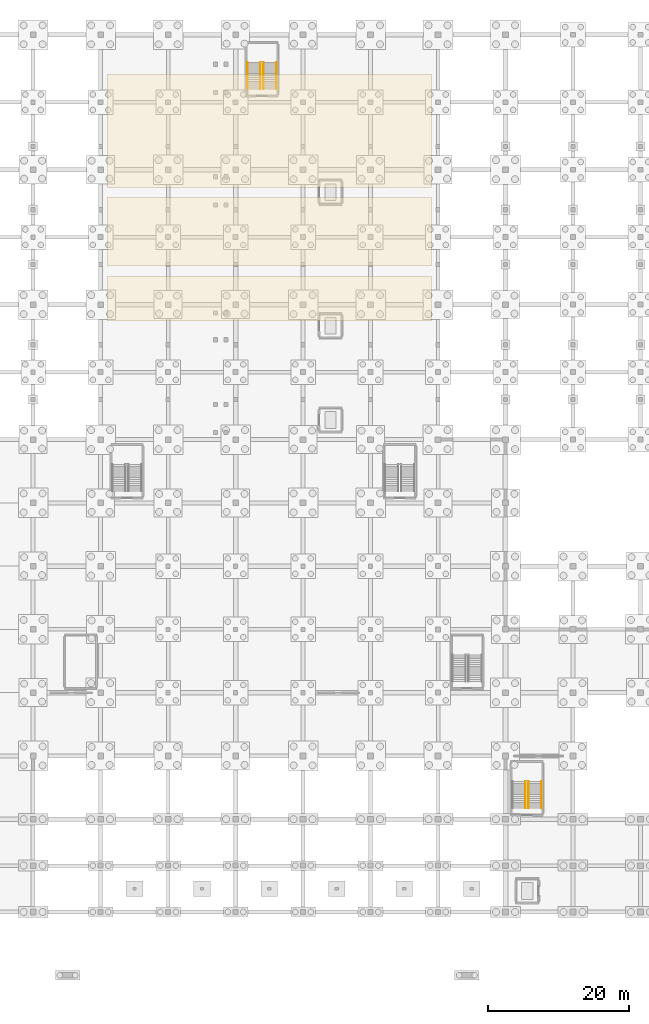
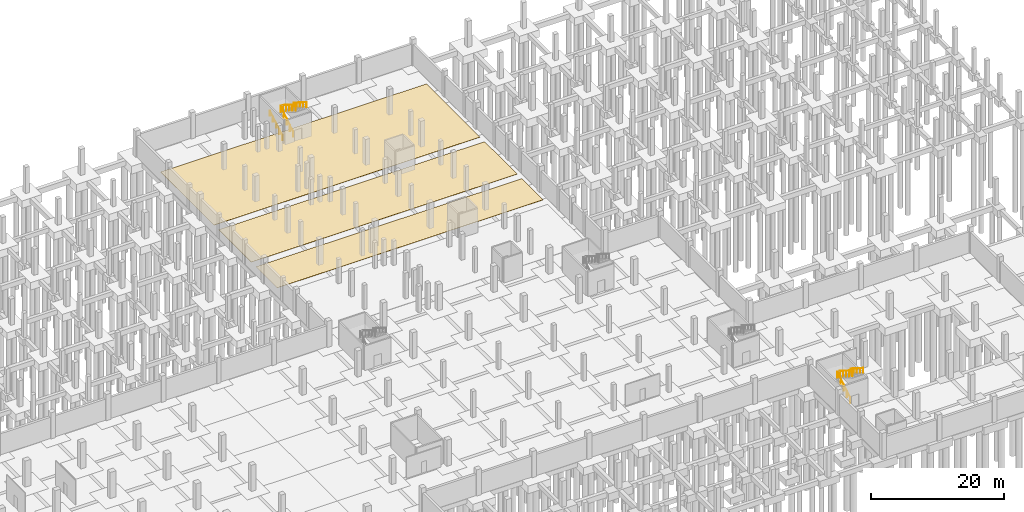
# One storey, part 36 of 39: 7 railings, 3 coverings.
"""IFC4 building model written with IfcOpenShell, lengths in metres."""

import ifcopenshell
import ifcopenshell.guid

model = None  # the IFC model being written
_history = None  # IfcOwnerHistory: only IFC2X3 demands one
_inside = {}  # id of a spatial element -> (the spatial element, [elements in it])
_under = {}  # id of a project, library or spatial element -> (it, [spatial elements below it])
_declared = {}  # id of a project -> (the project, [libraries it declares])
_typed = {}  # id of a type object -> (the type object, [elements of that type])
_made_of = {}  # id of a material, layer set ... -> (it, [elements and type objects made of it])


def new_model(schema):
    """Start an empty IFC model of exactly this schema.

    Asked for "IFC4X3", IfcOpenShell would pick the latest addendum, in which some entities
    have other attributes; the version numbers below select the first issue.
    IFC2X3 requires an IfcOwnerHistory on every rooted entity: one is made here for all.
    """
    global model, _history
    if schema == "IFC4X3":
        model = ifcopenshell.file(schema_version=(4, 3, 0, 0))
    else:
        model = ifcopenshell.file(schema=schema)
    _inside.clear()
    _under.clear()
    _declared.clear()
    _typed.clear()
    _made_of.clear()
    _history = None
    if model.schema == "IFC2X3":
        org = make("IfcOrganization", Name="unknown")
        user = make(
            "IfcPersonAndOrganization",
            ThePerson=make("IfcPerson", FamilyName="unknown"),
            TheOrganization=org,
        )
        app = make(
            "IfcApplication",
            ApplicationDeveloper=org,
            Version="unknown",
            ApplicationFullName="unknown",
            ApplicationIdentifier="unknown",
        )
        _history = make(
            "IfcOwnerHistory",
            OwningUser=user,
            OwningApplication=app,
            ChangeAction="ADDED",
            CreationDate=0,
        )
    return model


def make(cls, **values):
    """One entity of the class cls with the attributes given. An attribute that is None is left unset."""
    return model.create_entity(
        cls, **{name: value for name, value in values.items() if value is not None}
    )


def rooted(cls, **values):
    """An entity with a GlobalId (a new one), such as an element, a storey or a relation."""
    return make(cls, GlobalId=ifcopenshell.guid.new(), OwnerHistory=_history, **values)


def si_unit(unit_type, name, prefix=None):
    """IfcSIUnit, for example si_unit("LENGTHUNIT", "METRE", prefix="MILLI")."""
    return make("IfcSIUnit", UnitType=unit_type, Prefix=prefix, Name=name)


def assignment(units):
    """IfcUnitAssignment: the units of a project."""
    return None if units is None else make("IfcUnitAssignment", Units=units)


def point(xyz):
    """IfcCartesianPoint."""
    return None if xyz is None else make("IfcCartesianPoint", Coordinates=xyz)


def direction(xyz):
    """IfcDirection."""
    return None if xyz is None else make("IfcDirection", DirectionRatios=xyz)


def frame(location, z_axis=None, x_axis=None):
    """IfcAxis2Placement3D, a coordinate frame: its origin and axes. An axis left out is left unset."""
    return make(
        "IfcAxis2Placement3D",
        Location=point(location),
        Axis=direction(z_axis),
        RefDirection=direction(x_axis),
    )


def frame_2d(location, x_axis=None):
    """IfcAxis2Placement2D, a coordinate frame in the plane: its origin and x axis."""
    return make(
        "IfcAxis2Placement2D", Location=point(location), RefDirection=direction(x_axis)
    )


def origin():
    """The frame at (0, 0, 0) with its axes left unset."""
    return frame((0.0, 0.0, 0.0))


def origin_2d():
    """The frame at (0, 0) in the plane with its x axis left unset."""
    return frame_2d((0.0, 0.0))


def place(relative_to, where):
    """IfcLocalPlacement: puts the frame where relative to a parent placement (None: the world)."""
    return make(
        "IfcLocalPlacement", PlacementRelTo=relative_to, RelativePlacement=where
    )


def context(
    kind, dimensions, precision=None, world=None, true_north=None, identifier=None
):
    """IfcGeometricRepresentationContext, for example the 3D "Model" context."""
    return make(
        "IfcGeometricRepresentationContext",
        ContextIdentifier=identifier,
        ContextType=kind,
        CoordinateSpaceDimension=dimensions,
        Precision=precision,
        WorldCoordinateSystem=world,
        TrueNorth=true_north,
    )


def subcontext(parent, identifier, kind, view, scale=None):
    """IfcGeometricRepresentationSubContext, for example "Body" below "Model"."""
    return make(
        "IfcGeometricRepresentationSubContext",
        ContextIdentifier=identifier,
        ContextType=kind,
        ParentContext=parent,
        TargetScale=scale,
        TargetView=view,
    )


def project(units=None, contexts=None):
    """IfcProject with its units and contexts."""
    return rooted(
        "IfcProject",
        Name="project",
        RepresentationContexts=contexts,
        UnitsInContext=assignment(units),
    )


def spatial(cls, under=None, at=None, **own):
    """A site, building, storey or space (cls), placed at a placement, below another one or the project."""
    s = rooted(cls, ObjectPlacement=at, **own)
    if under is not None:
        _under.setdefault(under.id(), (under, []))[1].append(s)
    return s


def polyline(points):
    """IfcPolyline through the points."""
    return make("IfcPolyline", Points=[point(p) for p in points])


def profile(cls, at=None, kind="AREA", **sizes):
    """A parametric profile (cls). Its sizes go by their IFC names, for example OverallWidth=200.0."""
    return make(cls, ProfileType=kind, Position=at, **sizes)


def circle(**sizes):
    """IfcCircleProfileDef."""
    return profile("IfcCircleProfileDef", **sizes)


def outline(outer, holes=None, kind="AREA"):
    """IfcArbitraryClosedProfileDef: a profile drawn as a closed curve; with holes, ...WithVoids."""
    if holes is None:
        return make("IfcArbitraryClosedProfileDef", ProfileType=kind, OuterCurve=outer)
    return make(
        "IfcArbitraryProfileDefWithVoids",
        ProfileType=kind,
        OuterCurve=outer,
        InnerCurves=holes,
    )


def extrude(swept, where, along, depth):
    """IfcExtrudedAreaSolid: the profile swept, set in the frame where, extruded along a direction by depth."""
    return make(
        "IfcExtrudedAreaSolid",
        SweptArea=swept,
        Position=where,
        ExtrudedDirection=direction(along),
        Depth=depth,
    )


def shape(context_of_items, identifier, shape_type, items):
    """IfcShapeRepresentation: the items that make up one representation, for example the "Body"."""
    return make(
        "IfcShapeRepresentation",
        ContextOfItems=context_of_items,
        RepresentationIdentifier=identifier,
        RepresentationType=shape_type,
        Items=items,
    )


def material(Name=None, Category=None):
    """IfcMaterial."""
    return make("IfcMaterial", Name=Name, Category=Category)


def layer(
    of_material, thickness, ventilated=None, Name=None, Category=None, Priority=None
):
    """IfcMaterialLayer: one layer of a wall or slab, of a material (None: an air gap)."""
    return make(
        "IfcMaterialLayer",
        Material=of_material,
        LayerThickness=thickness,
        IsVentilated=ventilated,
        Name=Name,
        Category=Category,
        Priority=Priority,
    )


def layer_set(layers, Name=None):
    """IfcMaterialLayerSet."""
    return make("IfcMaterialLayerSet", MaterialLayers=layers, LayerSetName=Name)


def made_of(thing, what):
    """Note that an element or type object is made of a material, layer set ...; save() writes the relation."""
    if what is not None:
        _made_of.setdefault(what.id(), (what, []))[1].append(thing)
    return thing


def type_object(cls, material=None, **own):
    """A type object (cls), such as IfcWallType, which elements share."""
    return made_of(rooted(cls, **own), material)


def element(
    cls,
    number,
    at=None,
    inside=None,
    cuts=None,
    type_object=None,
    material=None,
    context=None,
    identifier="Body",
    shape_type=None,
    held_by="IfcProductDefinitionShape",
    body=None,
    shapes=None,
    **own,
):
    """One element of the class cls, such as IfcWall. Its Tag is "e" and its number.

    at: its placement. inside: the storey or other place that contains it. cuts: it is an
    opening in that element (IfcRelVoidsElement). A single representation is given by context,
    identifier, shape_type and body (its items); several are given by shapes. held_by: the class
    of the entity that holds the representations. save() writes the other relations.
    """
    e = rooted(cls, Tag="e%d" % number, ObjectPlacement=at, **own)
    if body is not None:
        shapes = [shape(context, identifier, shape_type, body)]
    if shapes is not None:
        e.Representation = make(held_by, Representations=shapes)
    if inside is not None:
        _inside.setdefault(inside.id(), (inside, []))[1].append(e)
    if cuts is not None:
        rooted(
            "IfcRelVoidsElement", RelatingBuildingElement=cuts, RelatedOpeningElement=e
        )
    if type_object is not None:
        _typed.setdefault(type_object.id(), (type_object, []))[1].append(e)
    return made_of(e, material)


def aggregate(whole, parts):
    """IfcRelAggregates: a whole, such as a stair, and the parts it consists of."""
    return rooted("IfcRelAggregates", RelatingObject=whole, RelatedObjects=parts)


def save(model, path):
    """Write the relations noted so far, then the file.

    IfcRelAggregates (storeys below a building ...), IfcRelContainedInSpatialStructure (elements
    in a storey), IfcRelDefinesByType, IfcRelAssociatesMaterial and IfcRelDeclares: one each for
    every whole, place, type object, material and project.
    """
    for whole, parts in _under.values():
        aggregate(whole, parts)
    for where, things in _inside.values():
        rooted(
            "IfcRelContainedInSpatialStructure",
            RelatedElements=things,
            RelatingStructure=where,
        )
    for kind, things in _typed.values():
        rooted("IfcRelDefinesByType", RelatedObjects=things, RelatingType=kind)
    for what, things in _made_of.values():
        rooted("IfcRelAssociatesMaterial", RelatedObjects=things, RelatingMaterial=what)
    for by, libraries in _declared.values():
        rooted("IfcRelDeclares", RelatingContext=by, RelatedDefinitions=libraries)
    model.write(path)


model = new_model("IFC4")

# Units and contexts
model_context = context("Model", 3, precision=1e-05, world=origin(), true_north=direction((0.0, 1.0)))
body_context = subcontext(model_context, "Body", "Model", "MODEL_VIEW")
ifc_project = project(units=[si_unit("LENGTHUNIT", "METRE"), si_unit("AREAUNIT", "SQUARE_METRE"), si_unit("VOLUMEUNIT", "CUBIC_METRE"), si_unit("PLANEANGLEUNIT", "RADIAN"), si_unit("MASSUNIT", "GRAM", prefix="KILO")], contexts=[model_context])

# Site, building, storey
site_placement = place(None, origin())
site = spatial("IfcSite", under=ifc_project, at=site_placement, CompositionType="ELEMENT")
building_placement = place(site_placement, origin())
building = spatial("IfcBuilding", under=site, at=building_placement, Name="Zarnetskaya Central Station", CompositionType="ELEMENT")
storey_placement = place(building_placement, frame((0.0, 0.0, -4.800048828125)))
storey = spatial("IfcBuildingStorey", under=building, at=storey_placement, Name="B1", CompositionType="ELEMENT", Elevation=-4.800048828125)

# Coverings
ifc_material_1 = material(Name="Granite stone flooring", Category="masonry")
ifc_layer = layer(ifc_material_1, 0.0400390625, Name="Granite stone flooring", Category="masonry")
ifc_layer_set = layer_set([ifc_layer], Name="Granite stone flooring")
covering_type = type_object("IfcCoveringType", Name="COV-GRAN-FLR", PredefinedType="FLOORING", material=ifc_layer_set)
covering_1_placement = place(storey_placement, origin())
element("IfcCovering", 1, at=covering_1_placement, inside=storey, type_object=covering_type, Name="Granite terrazzo floor finish B1-101A", PredefinedType="FLOORING", context=body_context, shape_type="SweptSolid", body=[
    extrude(outline(polyline([(68.10009765625, 91.89990234375), (114.300048828125, 91.89990234375), (114.300048828125, 101.699951171875), (68.10009765625, 101.699951171875), (68.10009765625, 91.89990234375)])), origin(), (0.0, 0.0, 1.0), 0.0400390625),
])
covering_2_placement = place(storey_placement, origin())
element("IfcCovering", 2, at=covering_2_placement, inside=storey, type_object=covering_type, Name="Granite terrazzo floor finish B1-101BA", PredefinedType="FLOORING", context=body_context, shape_type="SweptSolid", body=[
    extrude(outline(polyline([(68.10009765625, 103.10009765625), (114.300048828125, 103.10009765625), (114.300048828125, 119.199951171875), (68.10009765625, 119.199951171875), (68.10009765625, 103.10009765625)])), origin(), (0.0, 0.0, 1.0), 0.0400390625),
])
covering_3_placement = place(storey_placement, origin())
element("IfcCovering", 3, at=covering_3_placement, inside=storey, type_object=covering_type, Name="Granite terrazzo floor finish B1-102BB", PredefinedType="FLOORING", context=body_context, shape_type="SweptSolid", body=[
    extrude(outline(polyline([(68.10009765625, 84.10009765625), (114.300048828125, 84.10009765625), (114.300048828125, 90.5), (68.10009765625, 90.5), (68.10009765625, 84.10009765625)])), origin(), (0.0, 0.0, 1.0), 0.0400390625),
])

# Railings
ifc_material_2 = material(Name="Steel S355", Category="steel")
railing_type_1 = type_object("IfcRailingType", Name="RAIL-HAND-900", PredefinedType="HANDRAIL", material=ifc_material_2)
railing_1_placement = place(storey_placement, frame((129.919921875, 18.580078125, 2.400146484375)))
element("IfcRailing", 4, at=railing_1_placement, inside=storey, type_object=railing_type_1, Name="Stair ST-V1 B1 flight 2 handrail", PredefinedType="HANDRAIL", context=body_context, shape_type="SweptSolid", body=[
    extrude(circle(Radius=0.02392578125, at=origin_2d()), frame((0.0, 0.0, 0.8759765625), z_axis=(0.0, -0.844224564207, 0.535989631606), x_axis=(1.0, 0.0, 0.0)), (0.0, 0.0, 1.0), 4.4775390625),
    extrude(circle(Radius=0.02099609375, at=origin_2d()), origin(), (0.0, 0.0, 1.0), 0.851806640625),
    extrude(circle(Radius=0.02099609375, at=origin_2d()), frame((0.0, -0.945068359375, 0.60009765625)), (0.0, 0.0, 1.0), 0.851806640625),
    extrude(circle(Radius=0.02099609375, at=origin_2d()), frame((0.0, -1.89013671875, 1.199951171875)), (0.0, 0.0, 1.0), 0.851806640625),
    extrude(circle(Radius=0.02099609375, at=origin_2d()), frame((0.0, -2.8349609375, 1.7998046875)), (0.0, 0.0, 1.0), 0.851806640625),
    extrude(circle(Radius=0.02099609375, at=origin_2d()), frame((0.0, -3.780029296875, 2.39990234375)), (0.0, 0.0, 1.0), 0.851806640625),
])
railing_2_placement = place(storey_placement, frame((88.080078125, 117.10009765625, 0.16015625)))
element("IfcRailing", 5, at=railing_2_placement, inside=storey, type_object=railing_type_1, Name="Stair ST-B1 B1 flight 1 handrail", PredefinedType="HANDRAIL", context=body_context, shape_type="SweptSolid", body=[
    extrude(circle(Radius=0.02392578125, at=origin_2d()), frame((0.0, 0.0, 0.8759765625), z_axis=(0.0, 0.860279799577, 0.509822191004), x_axis=(-1.0, 0.0, 0.0)), (0.0, 0.0, 1.0), 4.3935546875),
    extrude(circle(Radius=0.02099609375, at=origin_2d()), origin(), (0.0, 0.0, 1.0), 0.851806640625),
    extrude(circle(Radius=0.02099609375, at=origin_2d()), frame((0.0, 0.94482421875, 0.56005859375)), (0.0, 0.0, 1.0), 0.851806640625),
    extrude(circle(Radius=0.02099609375, at=origin_2d()), frame((0.0, 1.889892578125, 1.1201171875)), (0.0, 0.0, 1.0), 0.851806640625),
    extrude(circle(Radius=0.02099609375, at=origin_2d()), frame((0.0, 2.8349609375, 1.679931640625)), (0.0, 0.0, 1.0), 0.851806640625),
    extrude(circle(Radius=0.02099609375, at=origin_2d()), frame((0.0, 3.77978515625, 2.239990234375)), (0.0, 0.0, 1.0), 0.851806640625),
])
railing_3_placement = place(storey_placement, frame((92.219970703125, 120.8798828125, 2.400146484375)))
element("IfcRailing", 6, at=railing_3_placement, inside=storey, type_object=railing_type_1, Name="Stair ST-B1 B1 flight 2 handrail", PredefinedType="HANDRAIL", context=body_context, shape_type="SweptSolid", body=[
    extrude(circle(Radius=0.02392578125, at=origin_2d()), frame((0.0, 0.0, 0.8759765625), z_axis=(0.0, -0.844208898658, 0.536014305245), x_axis=(1.0, 0.0, 0.0)), (0.0, 0.0, 1.0), 4.477294921875),
    extrude(circle(Radius=0.02099609375, at=origin_2d()), origin(), (0.0, 0.0, 1.0), 0.851806640625),
    extrude(circle(Radius=0.02099609375, at=origin_2d()), frame((0.0, -0.94482421875, 0.60009765625)), (0.0, 0.0, 1.0), 0.851806640625),
    extrude(circle(Radius=0.02099609375, at=origin_2d()), frame((0.0, -1.889892578125, 1.199951171875)), (0.0, 0.0, 1.0), 0.851806640625),
    extrude(circle(Radius=0.02099609375, at=origin_2d()), frame((0.0, -2.8349609375, 1.7998046875)), (0.0, 0.0, 1.0), 0.851806640625),
    extrude(circle(Radius=0.02099609375, at=origin_2d()), frame((0.0, -3.77978515625, 2.39990234375)), (0.0, 0.0, 1.0), 0.851806640625),
])
railing_type_2 = type_object("IfcRailingType", Name="RAIL-STAIR-GRD", PredefinedType="BALUSTRADE", material=ifc_material_2)
railing_4_placement = place(storey_placement, frame((127.639892578125, 14.800048828125, 0.0)))
element("IfcRailing", 7, at=railing_4_placement, inside=storey, type_object=railing_type_2, Name="Stair ST-V1 B1 flight 1 well guard", PredefinedType="BALUSTRADE", context=body_context, shape_type="SweptSolid", body=[
    extrude(circle(Radius=0.02392578125, at=origin_2d()), frame((0.0, 0.0, 1.09619140625), z_axis=(0.0, 0.844199891302, 0.536028491338), x_axis=(-1.0, 0.0, 0.0)), (0.0, 0.0, 1.0), 4.4775390625),
    extrude(circle(Radius=0.02099609375, at=origin_2d()), origin(), (0.0, 0.0, 1.0), 1.072021484375),
    extrude(circle(Radius=0.02099609375, at=origin_2d()), frame((0.0, 0.945068359375, 0.60009765625)), (0.0, 0.0, 1.0), 1.072021484375),
    extrude(circle(Radius=0.02099609375, at=origin_2d()), frame((0.0, 1.89013671875, 1.2001953125)), (0.0, 0.0, 1.0), 1.072021484375),
    extrude(circle(Radius=0.02099609375, at=origin_2d()), frame((0.0, 2.8349609375, 1.800048828125)), (0.0, 0.0, 1.0), 1.072021484375),
    extrude(circle(Radius=0.02099609375, at=origin_2d()), frame((0.0, 3.780029296875, 2.400146484375)), (0.0, 0.0, 1.0), 1.072021484375),
])
railing_5_placement = place(storey_placement, frame((128.06005859375, 18.580078125, 2.400146484375)))
element("IfcRailing", 8, at=railing_5_placement, inside=storey, type_object=railing_type_2, Name="Stair ST-V1 B1 flight 2 well guard", PredefinedType="BALUSTRADE", context=body_context, shape_type="SweptSolid", body=[
    extrude(circle(Radius=0.02392578125, at=origin_2d()), frame((0.0, 0.0, 1.09619140625), z_axis=(0.0, -0.844224564207, 0.535989631606), x_axis=(1.0, 0.0, 0.0)), (0.0, 0.0, 1.0), 4.4775390625),
    extrude(circle(Radius=0.02099609375, at=origin_2d()), origin(), (0.0, 0.0, 1.0), 1.072021484375),
    extrude(circle(Radius=0.02099609375, at=origin_2d()), frame((0.0, -0.945068359375, 0.60009765625)), (0.0, 0.0, 1.0), 1.072021484375),
    extrude(circle(Radius=0.02099609375, at=origin_2d()), frame((0.0, -1.89013671875, 1.199951171875)), (0.0, 0.0, 1.0), 1.072021484375),
    extrude(circle(Radius=0.02099609375, at=origin_2d()), frame((0.0, -2.8349609375, 1.7998046875)), (0.0, 0.0, 1.0), 1.072021484375),
    extrude(circle(Radius=0.02099609375, at=origin_2d()), frame((0.0, -3.780029296875, 2.39990234375)), (0.0, 0.0, 1.0), 1.072021484375),
])
railing_6_placement = place(storey_placement, frame((89.93994140625, 117.10009765625, 0.0)))
element("IfcRailing", 9, at=railing_6_placement, inside=storey, type_object=railing_type_2, Name="Stair ST-B1 B1 flight 1 well guard", PredefinedType="BALUSTRADE", context=body_context, shape_type="SweptSolid", body=[
    extrude(circle(Radius=0.02392578125, at=origin_2d()), frame((0.0, 0.0, 1.09619140625), z_axis=(0.0, 0.844184223938, 0.536053165324), x_axis=(-1.0, 0.0, 0.0)), (0.0, 0.0, 1.0), 4.4775390625),
    extrude(circle(Radius=0.02099609375, at=origin_2d()), origin(), (0.0, 0.0, 1.0), 1.072021484375),
    extrude(circle(Radius=0.02099609375, at=origin_2d()), frame((0.0, 0.94482421875, 0.60009765625)), (0.0, 0.0, 1.0), 1.072021484375),
    extrude(circle(Radius=0.02099609375, at=origin_2d()), frame((0.0, 1.889892578125, 1.2001953125)), (0.0, 0.0, 1.0), 1.072021484375),
    extrude(circle(Radius=0.02099609375, at=origin_2d()), frame((0.0, 2.8349609375, 1.800048828125)), (0.0, 0.0, 1.0), 1.072021484375),
    extrude(circle(Radius=0.02099609375, at=origin_2d()), frame((0.0, 3.77978515625, 2.400146484375)), (0.0, 0.0, 1.0), 1.072021484375),
])
railing_7_placement = place(storey_placement, frame((90.360107421875, 120.8798828125, 2.400146484375)))
element("IfcRailing", 10, at=railing_7_placement, inside=storey, type_object=railing_type_2, Name="Stair ST-B1 B1 flight 2 well guard", PredefinedType="BALUSTRADE", context=body_context, shape_type="SweptSolid", body=[
    extrude(circle(Radius=0.02392578125, at=origin_2d()), frame((0.0, 0.0, 1.09619140625), z_axis=(0.0, -0.844208898658, 0.536014305245), x_axis=(1.0, 0.0, 0.0)), (0.0, 0.0, 1.0), 4.477294921875),
    extrude(circle(Radius=0.02099609375, at=origin_2d()), origin(), (0.0, 0.0, 1.0), 1.072021484375),
    extrude(circle(Radius=0.02099609375, at=origin_2d()), frame((0.0, -0.94482421875, 0.60009765625)), (0.0, 0.0, 1.0), 1.072021484375),
    extrude(circle(Radius=0.02099609375, at=origin_2d()), frame((0.0, -1.889892578125, 1.199951171875)), (0.0, 0.0, 1.0), 1.072021484375),
    extrude(circle(Radius=0.02099609375, at=origin_2d()), frame((0.0, -2.8349609375, 1.7998046875)), (0.0, 0.0, 1.0), 1.072021484375),
    extrude(circle(Radius=0.02099609375, at=origin_2d()), frame((0.0, -3.77978515625, 2.39990234375)), (0.0, 0.0, 1.0), 1.072021484375),
])

save(model, "model.ifc")
